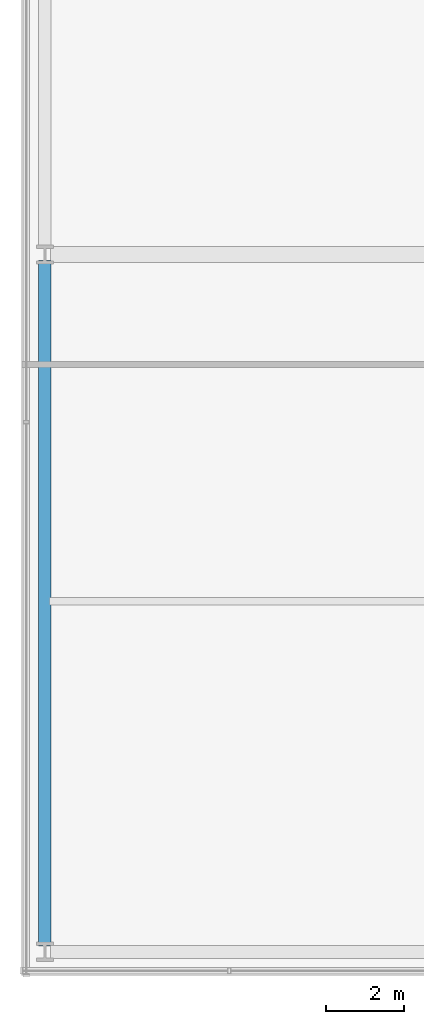
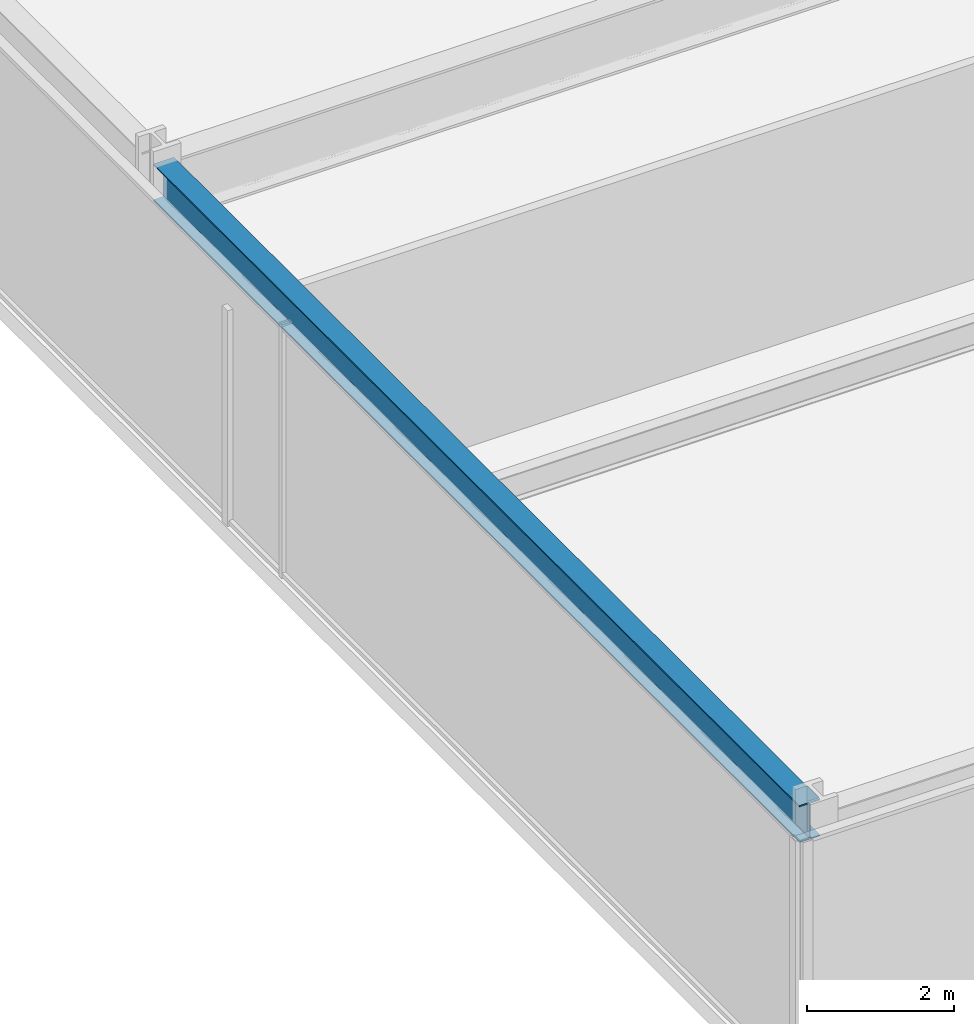
# One storey, part 5 of 47: 1 beam.
"""IFC4 building model written with IfcOpenShell, lengths in metres."""

from ifc_helpers import new_model, si_unit, direction, frame, origin, origin_2d, place, context, subcontext, project, spatial, i_section, extrude, material, material_profile, profile_set, type_object, element, save


model = new_model("IFC4")

# Units and contexts
model_context = context("Model", 3, precision=1e-05, world=origin(), true_north=direction((0.0, 1.0)))
body_context = subcontext(model_context, "Body", "Model", "MODEL_VIEW")
ifc_project = project(units=[si_unit("LENGTHUNIT", "METRE"), si_unit("AREAUNIT", "SQUARE_METRE"), si_unit("VOLUMEUNIT", "CUBIC_METRE"), si_unit("PLANEANGLEUNIT", "RADIAN"), si_unit("MASSUNIT", "GRAM", prefix="KILO")], contexts=[model_context])

# Site, building, storey
site_placement = place(None, origin())
site = spatial("IfcSite", under=ifc_project, at=site_placement, CompositionType="ELEMENT")
building_placement = place(site_placement, origin())
building = spatial("IfcBuilding", under=site, at=building_placement, Name="Kolvaren Belvedere", CompositionType="ELEMENT")
storey_placement = place(building_placement, frame((0.0, 0.0, 5.5)))
storey = spatial("IfcBuildingStorey", under=building, at=storey_placement, Name="L02", CompositionType="ELEMENT", Elevation=5.5)

# Beam
ifc_material = material(Name="Structural steel ASTM A992 Grade 50", Category="steel")
ifc_material_profile = material_profile(ifc_material, i_section(OverallWidth=0.324951171875, OverallDepth=0.615966796875, WebThickness=0.013916015625, FlangeThickness=0.021484375, FilletRadius=0.02001953125, at=origin_2d()), Name="W24X117")
ifc_profile_set = profile_set([ifc_material_profile], Name="Structural steel ASTM A992 Grade 50")
beam_type = type_object("IfcBeamType", Name="BM-SPAN-W24X117", PredefinedType="SPANDREL", material=ifc_profile_set)
beam_placement = place(storey_placement, frame((-27.39990234375, -27.64990234375, 3.912109375), z_axis=(0.0, 1.0, 0.0), x_axis=(-1.0, 0.0, 0.0)))
element("IfcBeam", 1, at=beam_placement, inside=storey, type_object=beam_type, Name="L02 W Podium Spandrel 1", PredefinedType="SPANDREL", context=body_context, shape_type="SweptSolid", body=[
    extrude(i_section(OverallWidth=0.324951171875, OverallDepth=0.615966796875, WebThickness=0.013916015625, FlangeThickness=0.021484375, FilletRadius=0.02001953125, at=origin_2d()), origin(), (0.0, 0.0, 1.0), 17.599853515625),
])

save(model, "model.ifc")
